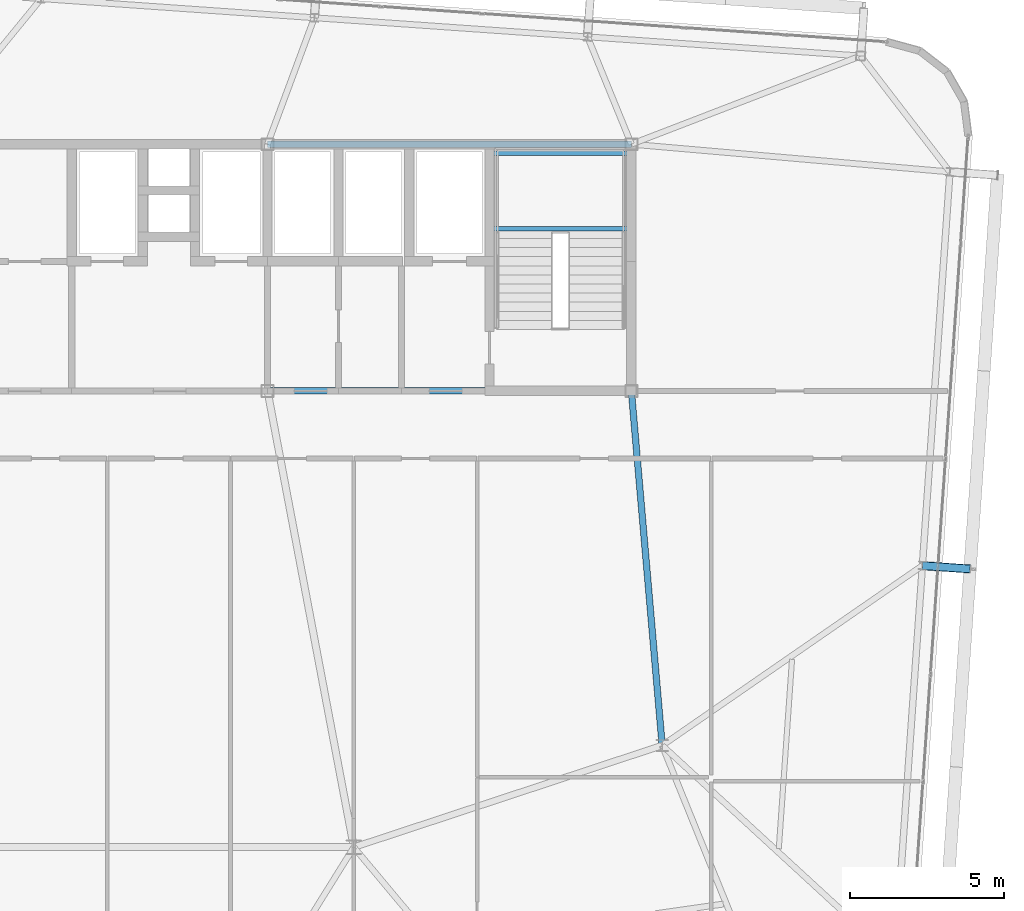
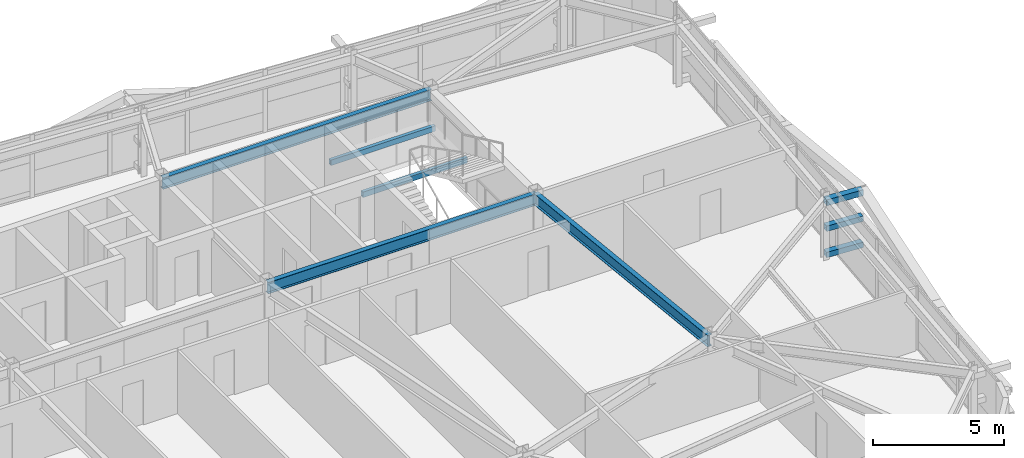
# One storey, part 23 of 47: 5 beams, 3 members.
"""IFC4 building model written with IfcOpenShell, lengths in metres."""

from ifc_helpers import new_model, si_unit, direction, frame, origin, origin_2d, place, context, subcontext, project, spatial, hollow_rectangle, i_section, extrude, source, transform, mapped, material, material_profile, profile_set, type_object, element, save


model = new_model("IFC4")

# Units and contexts
model_context = context("Model", 3, precision=1e-05, world=origin(), true_north=direction((0.0, 1.0)))
body_context = subcontext(model_context, "Body", "Model", "MODEL_VIEW")
ifc_project = project(units=[si_unit("LENGTHUNIT", "METRE"), si_unit("AREAUNIT", "SQUARE_METRE"), si_unit("VOLUMEUNIT", "CUBIC_METRE"), si_unit("PLANEANGLEUNIT", "RADIAN"), si_unit("MASSUNIT", "GRAM", prefix="KILO")], contexts=[model_context])

# Site, building, storey
site_placement = place(None, origin())
site = spatial("IfcSite", under=ifc_project, at=site_placement, CompositionType="ELEMENT")
building_placement = place(site_placement, origin())
building = spatial("IfcBuilding", under=site, at=building_placement, Name="Taldren Reach Tower", CompositionType="ELEMENT")
storey_placement = place(building_placement, frame((0.0, 0.0, 139.300048828125)))
storey = spatial("IfcBuildingStorey", under=building, at=storey_placement, Name="L42", CompositionType="ELEMENT", Elevation=139.300048828125)

# Beams
ifc_material_1 = material(Name="Steel Gr 350 (350PLUS)", Category="steel")
ifc_material_profile_1 = material_profile(ifc_material_1, i_section(OverallWidth=0.208984375, OverallDepth=0.532958984375, WebThickness=0.01025390625, FlangeThickness=0.015625, at=origin_2d()), Name="530UB92.4")
ifc_profile_set_1 = profile_set([ifc_material_profile_1], Name="Steel Gr 350 (350PLUS)")
beam_type_1 = type_object("IfcBeamType", Name="BM-UB530A", PredefinedType="BEAM", material=ifc_profile_set_1)
shared_shape_1 = source(origin(), body_context, "Body", "SweptSolid", [
    extrude(i_section(OverallWidth=0.208984375, OverallDepth=0.532958984375, WebThickness=0.01025390625, FlangeThickness=0.015625, at=origin_2d()), origin(), (0.0, 0.0, 1.0), 11.800048828125),
])
for number, where, z_axis, x_axis, name in (
    (1, (39.199951171875, 24.0, 2.663330078125), (1.0, 0.0, 0.0), (0.0, 1.0, 0.0), "Core-spine girder L42-SP03"),
    (2, (39.199951171875, 32.0, 2.663330078125), (1.0, 0.0, 0.0), (0.0, 1.0, 0.0), "Core-spine girder L42-SP06"),
):
    element("IfcBeam", number, at=place(storey_placement, frame(where, z_axis=z_axis, x_axis=x_axis)), inside=storey, type_object=beam_type_1, Name=name, PredefinedType="BEAM", context=body_context, shape_type="MappedRepresentation", body=[
        mapped(shared_shape_1, transform((0.0, 0.0, 0.0), scale=1.0)),
    ])
shared_shape_2 = source(origin(), body_context, "Body", "SweptSolid", [
    extrude(i_section(OverallWidth=0.208984375, OverallDepth=0.532958984375, WebThickness=0.01025390625, FlangeThickness=0.015625, at=origin_2d()), origin(), (0.0, 0.0, 1.0), 11.54345703125),
])
beam_placement = place(storey_placement, frame((52.0, 12.5, 2.663330078125), z_axis=(-0.086629616365, 0.996240588196, 0.0), x_axis=(-0.996240588196, -0.086629616365, 0.0)))
element("IfcBeam", 3, at=beam_placement, inside=storey, type_object=beam_type_1, Name="Core-spine girder L42-SP13", PredefinedType="BEAM", context=body_context, shape_type="MappedRepresentation", body=[
    mapped(shared_shape_2, transform((0.0, 0.0, 0.0), scale=1.0)),
])

# Members
ifc_material_2 = material(Name="Steel Gr 450 (C450L0)", Category="steel")
ifc_material_profile_2 = material_profile(ifc_material_2, hollow_rectangle(XDim=0.27490234375, YDim=0.27490234375, WallThickness=0.00927734375, at=origin_2d()), Name="275x275x9.3SHS")
ifc_profile_set_2 = profile_set([ifc_material_profile_2], Name="Steel Gr 450 (C450L0)")
member_type_1 = type_object("IfcMemberType", Name="MB-TIE273", PredefinedType="STRUT", material=ifc_profile_set_2)
shared_shape_3 = source(origin(), body_context, "Body", "SweptSolid", [
    extrude(hollow_rectangle(XDim=0.27490234375, YDim=0.27490234375, WallThickness=0.00927734375, at=origin_2d()), origin(), (0.0, 0.0, 1.0), 1.5498046875),
])
member_placement = place(storey_placement, frame((60.438232421875, 18.331787109375, 2.64990234375), z_axis=(0.997562367434, -0.069780535098, 0.0), x_axis=(0.069780535098, 0.997562367434, 0.0)))
element("IfcMember", 4, at=member_placement, inside=storey, type_object=member_type_1, Name="Exoskeleton diaphragm tie strut B3-E2 L42", PredefinedType="STRUT", context=body_context, shape_type="MappedRepresentation", body=[
    mapped(shared_shape_3, transform((0.0, 0.0, 0.0), scale=1.0)),
])
ifc_material_3 = material(Name="Steel Gr 350 (C350L0)", Category="steel")
ifc_material_profile_3 = material_profile(ifc_material_3, hollow_rectangle(XDim=0.25, YDim=0.25, WallThickness=0.010009765625, at=origin_2d()), Name="250x250x10.0SHS")
ifc_profile_set_3 = profile_set([ifc_material_profile_3], Name="Steel Gr 350 (C350L0)")
member_type_2 = type_object("IfcMemberType", Name="MB-POST250", PredefinedType="POST", material=ifc_profile_set_3)
shared_shape_4 = source(origin(), body_context, "Body", "SweptSolid", [
    extrude(hollow_rectangle(XDim=0.25, YDim=0.25, WallThickness=0.010009765625, at=origin_2d()), origin(), (0.0, 0.0, 1.0), 1.5498046875),
])
for number, where, z_axis, x_axis, name in (
    (5, (60.438232421875, 18.331787109375, 0.219970703125), (0.997562367434, -0.069780535098, 0.0), (0.069780535098, 0.997562367434, 0.0), "Exoskeleton base diaphragm tie strut B3-E2 L42"),
    (6, (60.438232421875, 18.331787109375, 1.43505859375), (0.997562367434, -0.069780535098, 0.0), (0.069780535098, 0.997562367434, 0.0), "Exoskeleton mid-tier diaphragm tie B3-E2 L42"),
):
    element("IfcMember", number, at=place(storey_placement, frame(where, z_axis=z_axis, x_axis=x_axis)), inside=storey, type_object=member_type_2, Name=name, PredefinedType="POST", context=body_context, shape_type="MappedRepresentation", body=[
        mapped(shared_shape_4, transform((0.0, 0.0, 0.0), scale=1.0)),
    ])

# Beams
ifc_material_profile_4 = material_profile(ifc_material_3, hollow_rectangle(XDim=0.14990234375, YDim=0.25, WallThickness=0.009033203125, at=origin_2d()), Name="250x150x9.0RHS")
ifc_profile_set_4 = profile_set([ifc_material_profile_4], Name="Steel Gr 350 (C350L0)")
beam_type_2 = type_object("IfcBeamType", Name="LN-RHS250", PredefinedType="LINTEL", material=ifc_profile_set_4)
shared_shape_5 = source(origin(), body_context, "Body", "SweptSolid", [
    extrude(hollow_rectangle(XDim=0.14990234375, YDim=0.25, WallThickness=0.009033203125, at=origin_2d()), origin(), (0.0, 0.0, 1.0), 4.60009765625),
])
for number, where, z_axis, x_axis, name in (
    (7, (46.39990234375, 29.2548828125, 1.27001953125), (1.0, 0.0, 0.0), (0.0, 1.0, 0.0), "Stair half-landing support beam ST2-L42-1"),
    (8, (46.39990234375, 31.699951171875, 1.27001953125), (1.0, 0.0, 0.0), (0.0, 1.0, 0.0), "Stair half-landing support beam ST2-L42-2"),
):
    element("IfcBeam", number, at=place(storey_placement, frame(where, z_axis=z_axis, x_axis=x_axis)), inside=storey, type_object=beam_type_2, Name=name, PredefinedType="LINTEL", context=body_context, shape_type="MappedRepresentation", body=[
        mapped(shared_shape_5, transform((0.0, 0.0, 0.0), scale=1.0)),
    ])

save(model, "model.ifc")
